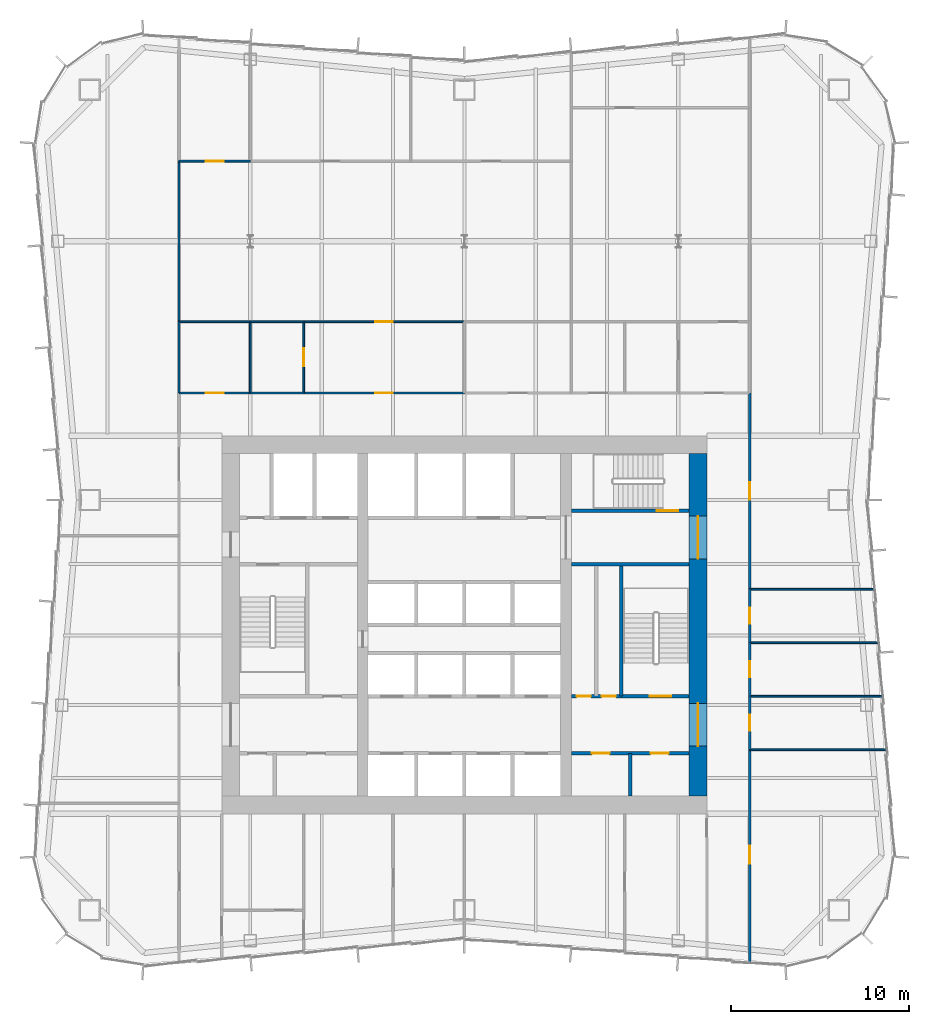
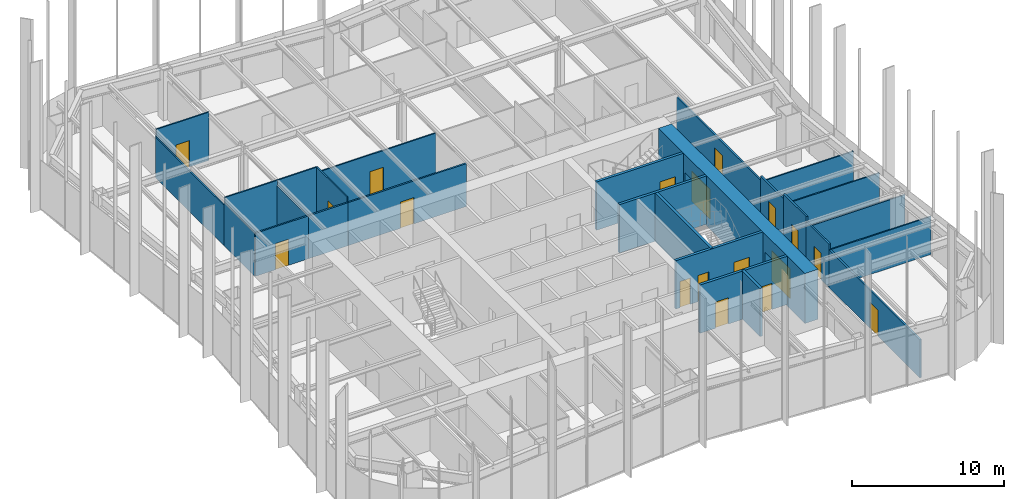
# One storey, part 11 of 13: 27 walls, 18 doors, 18 openings.
"""IFC4 building model written with IfcOpenShell, lengths in metres."""

import ifcopenshell
import ifcopenshell.guid

model = None  # the IFC model being written
_history = None  # IfcOwnerHistory: only IFC2X3 demands one
_inside = {}  # id of a spatial element -> (the spatial element, [elements in it])
_under = {}  # id of a project, library or spatial element -> (it, [spatial elements below it])
_declared = {}  # id of a project -> (the project, [libraries it declares])
_typed = {}  # id of a type object -> (the type object, [elements of that type])
_made_of = {}  # id of a material, layer set ... -> (it, [elements and type objects made of it])


def new_model(schema):
    """Start an empty IFC model of exactly this schema.

    Asked for "IFC4X3", IfcOpenShell would pick the latest addendum, in which some entities
    have other attributes; the version numbers below select the first issue.
    IFC2X3 requires an IfcOwnerHistory on every rooted entity: one is made here for all.
    """
    global model, _history
    if schema == "IFC4X3":
        model = ifcopenshell.file(schema_version=(4, 3, 0, 0))
    else:
        model = ifcopenshell.file(schema=schema)
    _inside.clear()
    _under.clear()
    _declared.clear()
    _typed.clear()
    _made_of.clear()
    _history = None
    if model.schema == "IFC2X3":
        org = make("IfcOrganization", Name="unknown")
        user = make(
            "IfcPersonAndOrganization",
            ThePerson=make("IfcPerson", FamilyName="unknown"),
            TheOrganization=org,
        )
        app = make(
            "IfcApplication",
            ApplicationDeveloper=org,
            Version="unknown",
            ApplicationFullName="unknown",
            ApplicationIdentifier="unknown",
        )
        _history = make(
            "IfcOwnerHistory",
            OwningUser=user,
            OwningApplication=app,
            ChangeAction="ADDED",
            CreationDate=0,
        )
    return model


def make(cls, **values):
    """One entity of the class cls with the attributes given. An attribute that is None is left unset."""
    return model.create_entity(
        cls, **{name: value for name, value in values.items() if value is not None}
    )


def rooted(cls, **values):
    """An entity with a GlobalId (a new one), such as an element, a storey or a relation."""
    return make(cls, GlobalId=ifcopenshell.guid.new(), OwnerHistory=_history, **values)


def si_unit(unit_type, name, prefix=None):
    """IfcSIUnit, for example si_unit("LENGTHUNIT", "METRE", prefix="MILLI")."""
    return make("IfcSIUnit", UnitType=unit_type, Prefix=prefix, Name=name)


def assignment(units):
    """IfcUnitAssignment: the units of a project."""
    return None if units is None else make("IfcUnitAssignment", Units=units)


def point(xyz):
    """IfcCartesianPoint."""
    return None if xyz is None else make("IfcCartesianPoint", Coordinates=xyz)


def direction(xyz):
    """IfcDirection."""
    return None if xyz is None else make("IfcDirection", DirectionRatios=xyz)


def frame(location, z_axis=None, x_axis=None):
    """IfcAxis2Placement3D, a coordinate frame: its origin and axes. An axis left out is left unset."""
    return make(
        "IfcAxis2Placement3D",
        Location=point(location),
        Axis=direction(z_axis),
        RefDirection=direction(x_axis),
    )


def frame_2d(location, x_axis=None):
    """IfcAxis2Placement2D, a coordinate frame in the plane: its origin and x axis."""
    return make(
        "IfcAxis2Placement2D", Location=point(location), RefDirection=direction(x_axis)
    )


def origin():
    """The frame at (0, 0, 0) with its axes left unset."""
    return frame((0.0, 0.0, 0.0))


def place(relative_to, where):
    """IfcLocalPlacement: puts the frame where relative to a parent placement (None: the world)."""
    return make(
        "IfcLocalPlacement", PlacementRelTo=relative_to, RelativePlacement=where
    )


def context(
    kind, dimensions, precision=None, world=None, true_north=None, identifier=None
):
    """IfcGeometricRepresentationContext, for example the 3D "Model" context."""
    return make(
        "IfcGeometricRepresentationContext",
        ContextIdentifier=identifier,
        ContextType=kind,
        CoordinateSpaceDimension=dimensions,
        Precision=precision,
        WorldCoordinateSystem=world,
        TrueNorth=true_north,
    )


def subcontext(parent, identifier, kind, view, scale=None):
    """IfcGeometricRepresentationSubContext, for example "Body" below "Model"."""
    return make(
        "IfcGeometricRepresentationSubContext",
        ContextIdentifier=identifier,
        ContextType=kind,
        ParentContext=parent,
        TargetScale=scale,
        TargetView=view,
    )


def project(units=None, contexts=None):
    """IfcProject with its units and contexts."""
    return rooted(
        "IfcProject",
        Name="project",
        RepresentationContexts=contexts,
        UnitsInContext=assignment(units),
    )


def spatial(cls, under=None, at=None, **own):
    """A site, building, storey or space (cls), placed at a placement, below another one or the project."""
    s = rooted(cls, ObjectPlacement=at, **own)
    if under is not None:
        _under.setdefault(under.id(), (under, []))[1].append(s)
    return s


def profile(cls, at=None, kind="AREA", **sizes):
    """A parametric profile (cls). Its sizes go by their IFC names, for example OverallWidth=200.0."""
    return make(cls, ProfileType=kind, Position=at, **sizes)


def rectangle(**sizes):
    """IfcRectangleProfileDef."""
    return profile("IfcRectangleProfileDef", **sizes)


def extrude(swept, where, along, depth):
    """IfcExtrudedAreaSolid: the profile swept, set in the frame where, extruded along a direction by depth."""
    return make(
        "IfcExtrudedAreaSolid",
        SweptArea=swept,
        Position=where,
        ExtrudedDirection=direction(along),
        Depth=depth,
    )


def shape(context_of_items, identifier, shape_type, items):
    """IfcShapeRepresentation: the items that make up one representation, for example the "Body"."""
    return make(
        "IfcShapeRepresentation",
        ContextOfItems=context_of_items,
        RepresentationIdentifier=identifier,
        RepresentationType=shape_type,
        Items=items,
    )


def material(Name=None, Category=None):
    """IfcMaterial."""
    return make("IfcMaterial", Name=Name, Category=Category)


def layer(
    of_material, thickness, ventilated=None, Name=None, Category=None, Priority=None
):
    """IfcMaterialLayer: one layer of a wall or slab, of a material (None: an air gap)."""
    return make(
        "IfcMaterialLayer",
        Material=of_material,
        LayerThickness=thickness,
        IsVentilated=ventilated,
        Name=Name,
        Category=Category,
        Priority=Priority,
    )


def layer_set(layers, Name=None):
    """IfcMaterialLayerSet."""
    return make("IfcMaterialLayerSet", MaterialLayers=layers, LayerSetName=Name)


def made_of(thing, what):
    """Note that an element or type object is made of a material, layer set ...; save() writes the relation."""
    if what is not None:
        _made_of.setdefault(what.id(), (what, []))[1].append(thing)
    return thing


def type_object(cls, material=None, **own):
    """A type object (cls), such as IfcWallType, which elements share."""
    return made_of(rooted(cls, **own), material)


def element(
    cls,
    number,
    at=None,
    inside=None,
    cuts=None,
    type_object=None,
    material=None,
    context=None,
    identifier="Body",
    shape_type=None,
    held_by="IfcProductDefinitionShape",
    body=None,
    shapes=None,
    **own,
):
    """One element of the class cls, such as IfcWall. Its Tag is "e" and its number.

    at: its placement. inside: the storey or other place that contains it. cuts: it is an
    opening in that element (IfcRelVoidsElement). A single representation is given by context,
    identifier, shape_type and body (its items); several are given by shapes. held_by: the class
    of the entity that holds the representations. save() writes the other relations.
    """
    e = rooted(cls, Tag="e%d" % number, ObjectPlacement=at, **own)
    if body is not None:
        shapes = [shape(context, identifier, shape_type, body)]
    if shapes is not None:
        e.Representation = make(held_by, Representations=shapes)
    if inside is not None:
        _inside.setdefault(inside.id(), (inside, []))[1].append(e)
    if cuts is not None:
        rooted(
            "IfcRelVoidsElement", RelatingBuildingElement=cuts, RelatedOpeningElement=e
        )
    if type_object is not None:
        _typed.setdefault(type_object.id(), (type_object, []))[1].append(e)
    return made_of(e, material)


def fill(opening, filler):
    """IfcRelFillsElement: the door or window that sits in an opening."""
    return rooted(
        "IfcRelFillsElement",
        RelatingOpeningElement=opening,
        RelatedBuildingElement=filler,
    )


def aggregate(whole, parts):
    """IfcRelAggregates: a whole, such as a stair, and the parts it consists of."""
    return rooted("IfcRelAggregates", RelatingObject=whole, RelatedObjects=parts)


def save(model, path):
    """Write the relations noted so far, then the file.

    IfcRelAggregates (storeys below a building ...), IfcRelContainedInSpatialStructure (elements
    in a storey), IfcRelDefinesByType, IfcRelAssociatesMaterial and IfcRelDeclares: one each for
    every whole, place, type object, material and project.
    """
    for whole, parts in _under.values():
        aggregate(whole, parts)
    for where, things in _inside.values():
        rooted(
            "IfcRelContainedInSpatialStructure",
            RelatedElements=things,
            RelatingStructure=where,
        )
    for kind, things in _typed.values():
        rooted("IfcRelDefinesByType", RelatedObjects=things, RelatingType=kind)
    for what, things in _made_of.values():
        rooted("IfcRelAssociatesMaterial", RelatedObjects=things, RelatingMaterial=what)
    for by, libraries in _declared.values():
        rooted("IfcRelDeclares", RelatingContext=by, RelatedDefinitions=libraries)
    model.write(path)


model = new_model("IFC4")

# Units and contexts
model_context = context("Model", 3, precision=1e-05, world=origin(), true_north=direction((0.0, 1.0)))
body_context = subcontext(model_context, "Body", "Model", "MODEL_VIEW")
ifc_project = project(units=[si_unit("LENGTHUNIT", "METRE"), si_unit("AREAUNIT", "SQUARE_METRE"), si_unit("VOLUMEUNIT", "CUBIC_METRE"), si_unit("PLANEANGLEUNIT", "RADIAN"), si_unit("MASSUNIT", "GRAM", prefix="KILO")], contexts=[model_context])

# Site, building, storey
site_placement = place(None, origin())
site = spatial("IfcSite", under=ifc_project, at=site_placement, CompositionType="ELEMENT")
building_placement = place(site_placement, origin())
building = spatial("IfcBuilding", under=site, at=building_placement, Name="Verdant Reach Tower", CompositionType="ELEMENT")
storey_placement = place(building_placement, frame((0.0, 0.0, 138.0)))
storey = spatial("IfcBuildingStorey", under=building, at=storey_placement, Name="L31", CompositionType="ELEMENT", Elevation=138.0)

# Wall, openings, doors
ifc_material_1 = material(Name="Gypsum board on steel studs", Category="steel")
ifc_layer_1 = layer(ifc_material_1, 0.199951171875)
ifc_layer_set_1 = layer_set([ifc_layer_1], Name="CO-WALL-ROOM")
wall_type_1 = type_object("IfcWallType", Name="CO-WALL-ROOM", PredefinedType="PARTITIONING", material=ifc_layer_set_1)
wall_1_placement = place(storey_placement, frame((6.0, 20.800048828125, 0.0), z_axis=(0.0, 0.0, 1.0), x_axis=(1.0, 0.0, 0.0)))
wall_1 = element("IfcWall", 1, at=wall_1_placement, inside=storey, type_object=wall_type_1, Name="Core partition, L31", PredefinedType="PARTITIONING", context=body_context, shape_type="SweptSolid", body=[
    extrude(rectangle(XDim=6.60009765625, YDim=0.199951171875, at=frame_2d((3.300048828125, 0.0))), origin(), (0.0, 0.0, 1.0), 3.8701171875),
])
opening_1_placement = place(wall_1_placement, frame((1.14990234375, 0.0, 0.0)))
opening_1 = element("IfcOpeningElement", 2, at=opening_1_placement, cuts=wall_1, Name="Opening CD", PredefinedType="OPENING", context=body_context, shape_type="SweptSolid", body=[
    extrude(rectangle(XDim=1.0, YDim=2.10009765625, at=frame_2d((0.5, 1.050048828125))), frame((0.0, 0.10986328125, 0.0), z_axis=(0.0, -1.0, 0.0), x_axis=(1.0, 0.0, 0.0)), (0.0, 0.0, 1.0), 0.219970703125),
])
opening_2_placement = place(wall_1_placement, frame((4.449951171875, 0.0, 0.0)))
opening_2 = element("IfcOpeningElement", 3, at=opening_2_placement, cuts=wall_1, Name="Opening CD", PredefinedType="OPENING", context=body_context, shape_type="SweptSolid", body=[
    extrude(rectangle(XDim=1.0, YDim=2.10009765625, at=frame_2d((0.5, 1.050048828125))), frame((0.0, 0.10986328125, 0.0), z_axis=(0.0, -1.0, 0.0), x_axis=(1.0, 0.0, 0.0)), (0.0, 0.0, 1.0), 0.219970703125),
])
ifc_material_2 = material(Name="Timber", Category="wood")
door_type_1 = type_object("IfcDoorType", Name="CO-DOOR-ROOM", OperationType="NOTDEFINED", PredefinedType="DOOR", material=ifc_material_2)
door_1_placement = place(opening_1_placement, origin())
door_1 = element("IfcDoor", 4, at=door_1_placement, inside=storey, type_object=door_type_1, Name="Core room door, L31", OperationType="SINGLE_SWING_LEFT", OverallHeight=2.10009765625, OverallWidth=1.0, PredefinedType="DOOR", context=body_context, shape_type="SweptSolid", body=[
    extrude(rectangle(XDim=1.0, YDim=2.10009765625, at=frame_2d((0.5, 1.050048828125))), frame((0.0, 0.02490234375, 0.0), z_axis=(0.0, -1.0, 0.0), x_axis=(1.0, 0.0, 0.0)), (0.0, 0.0, 1.0), 0.050048828125),
])
fill(opening_1, door_1)
door_2_placement = place(opening_2_placement, origin())
door_2 = element("IfcDoor", 5, at=door_2_placement, inside=storey, type_object=door_type_1, Name="Core room door, L31", OperationType="SINGLE_SWING_LEFT", OverallHeight=2.10009765625, OverallWidth=1.0, PredefinedType="DOOR", context=body_context, shape_type="SweptSolid", body=[
    extrude(rectangle(XDim=1.0, YDim=2.10009765625, at=frame_2d((0.5, 1.050048828125))), frame((0.0, 0.02490234375, 0.0), z_axis=(0.0, -1.0, 0.0), x_axis=(1.0, 0.0, 0.0)), (0.0, 0.0, 1.0), 0.050048828125),
])
fill(opening_2, door_2)

# Wall
wall_2_placement = place(storey_placement, frame((9.300048828125, 18.39990234375, 0.0), z_axis=(0.0, 0.0, 1.0), x_axis=(0.0, 1.0, 0.0)))
element("IfcWall", 6, at=wall_2_placement, inside=storey, type_object=wall_type_1, Name="Core partition, L31", PredefinedType="PARTITIONING", context=body_context, shape_type="SweptSolid", body=[
    extrude(rectangle(XDim=2.400146484375, YDim=0.199951171875, at=frame_2d((1.2001953125, 0.0))), origin(), (0.0, 0.0, 1.0), 3.8701171875),
])

# Wall, openings, doors
ifc_material_3 = material(Name="Concrete C40/50", Category="concrete")
ifc_layer_2 = layer(ifc_material_3, 0.199951171875)
ifc_layer_set_2 = layer_set([ifc_layer_2], Name="CO-WALL-STAIR")
wall_type_2 = type_object("IfcWallType", Name="CO-WALL-STAIR", PredefinedType="PARTITIONING", material=ifc_layer_set_2)
wall_3_placement = place(storey_placement, frame((6.0, 24.0, 0.0), z_axis=(0.0, 0.0, 1.0), x_axis=(1.0, 0.0, 0.0)))
wall_3 = element("IfcWall", 7, at=wall_3_placement, inside=storey, type_object=wall_type_2, Name="Stair enclosure wall, L31", PredefinedType="PARTITIONING", context=body_context, shape_type="SweptSolid", body=[
    extrude(rectangle(XDim=6.60009765625, YDim=0.199951171875, at=frame_2d((3.300048828125, 0.0))), origin(), (0.0, 0.0, 1.0), 3.8701171875),
])
opening_3_placement = place(wall_3_placement, frame((0.300048828125, 0.0, 0.0)))
opening_3 = element("IfcOpeningElement", 8, at=opening_3_placement, cuts=wall_3, Name="Opening CDN", PredefinedType="OPENING", context=body_context, shape_type="SweptSolid", body=[
    extrude(rectangle(XDim=0.800048828125, YDim=2.10009765625, at=frame_2d((0.39990234375, 1.050048828125))), frame((0.0, 0.10986328125, 0.0), z_axis=(0.0, -1.0, 0.0), x_axis=(1.0, 0.0, 0.0)), (0.0, 0.0, 1.0), 0.219970703125),
])
opening_4_placement = place(wall_3_placement, frame((1.699951171875, 0.0, 0.0)))
opening_4 = element("IfcOpeningElement", 9, at=opening_4_placement, cuts=wall_3, Name="Opening CDN", PredefinedType="OPENING", context=body_context, shape_type="SweptSolid", body=[
    extrude(rectangle(XDim=0.800048828125, YDim=2.10009765625, at=frame_2d((0.39990234375, 1.050048828125))), frame((0.0, 0.10986328125, 0.0), z_axis=(0.0, -1.0, 0.0), x_axis=(1.0, 0.0, 0.0)), (0.0, 0.0, 1.0), 0.219970703125),
])
opening_5_placement = place(wall_3_placement, frame((4.39990234375, 0.0, 0.0)))
opening_5 = element("IfcOpeningElement", 10, at=opening_5_placement, cuts=wall_3, Name="Opening SD", PredefinedType="OPENING", context=body_context, shape_type="SweptSolid", body=[
    extrude(rectangle(XDim=1.199951171875, YDim=2.199951171875, at=frame_2d((0.60009765625, 1.10009765625))), frame((0.0, 0.10986328125, 0.0), z_axis=(0.0, -1.0, 0.0), x_axis=(1.0, 0.0, 0.0)), (0.0, 0.0, 1.0), 0.219970703125),
])
door_type_2 = type_object("IfcDoorType", Name="CO-DOOR-ROOM-NARROW", OperationType="NOTDEFINED", PredefinedType="DOOR", material=ifc_material_2)
door_3_placement = place(opening_3_placement, origin())
door_3 = element("IfcDoor", 11, at=door_3_placement, inside=storey, type_object=door_type_2, Name="Core room door, L31", OperationType="SINGLE_SWING_RIGHT", OverallHeight=2.10009765625, OverallWidth=0.800048828125, PredefinedType="DOOR", context=body_context, shape_type="SweptSolid", body=[
    extrude(rectangle(XDim=0.800048828125, YDim=2.10009765625, at=frame_2d((0.39990234375, 1.050048828125))), frame((0.0, 0.02490234375, 0.0), z_axis=(0.0, -1.0, 0.0), x_axis=(1.0, 0.0, 0.0)), (0.0, 0.0, 1.0), 0.050048828125),
])
fill(opening_3, door_3)
door_4_placement = place(opening_4_placement, origin())
door_4 = element("IfcDoor", 12, at=door_4_placement, inside=storey, type_object=door_type_2, Name="Core room door, L31", OperationType="SINGLE_SWING_LEFT", OverallHeight=2.10009765625, OverallWidth=0.800048828125, PredefinedType="DOOR", context=body_context, shape_type="SweptSolid", body=[
    extrude(rectangle(XDim=0.800048828125, YDim=2.10009765625, at=frame_2d((0.39990234375, 1.050048828125))), frame((0.0, 0.02490234375, 0.0), z_axis=(0.0, -1.0, 0.0), x_axis=(1.0, 0.0, 0.0)), (0.0, 0.0, 1.0), 0.050048828125),
])
fill(opening_4, door_4)
ifc_material_4 = material(Name="Steel", Category="steel")
door_type_3 = type_object("IfcDoorType", Name="CO-DOOR-STAIR", OperationType="NOTDEFINED", PredefinedType="DOOR", material=ifc_material_4)
door_5_placement = place(opening_5_placement, origin())
door_5 = element("IfcDoor", 13, at=door_5_placement, inside=storey, type_object=door_type_3, Name="Stair door, L31", OperationType="SINGLE_SWING_RIGHT", OverallHeight=2.199951171875, OverallWidth=1.199951171875, PredefinedType="DOOR", context=body_context, shape_type="SweptSolid", body=[
    extrude(rectangle(XDim=1.199951171875, YDim=2.199951171875, at=frame_2d((0.60009765625, 1.10009765625))), frame((0.0, 0.02490234375, 0.0), z_axis=(0.0, -1.0, 0.0), x_axis=(1.0, 0.0, 0.0)), (0.0, 0.0, 1.0), 0.050048828125),
])
fill(opening_5, door_5)

# Wall
wall_4_placement = place(storey_placement, frame((6.0, 31.39990234375, 0.0), z_axis=(0.0, 0.0, 1.0), x_axis=(1.0, 0.0, 0.0)))
element("IfcWall", 14, at=wall_4_placement, inside=storey, type_object=wall_type_2, Name="Stair enclosure wall, L31", PredefinedType="PARTITIONING", context=body_context, shape_type="SweptSolid", body=[
    extrude(rectangle(XDim=6.60009765625, YDim=0.199951171875, at=frame_2d((3.300048828125, 0.0))), origin(), (0.0, 0.0, 1.0), 3.8701171875),
])

# Wall, opening, door
wall_5_placement = place(storey_placement, frame((6.0, 34.39990234375, 0.0), z_axis=(0.0, 0.0, 1.0), x_axis=(1.0, 0.0, 0.0)))
wall_5 = element("IfcWall", 15, at=wall_5_placement, inside=storey, type_object=wall_type_2, Name="Stair enclosure wall, L31", PredefinedType="PARTITIONING", context=body_context, shape_type="SweptSolid", body=[
    extrude(rectangle(XDim=6.60009765625, YDim=0.199951171875, at=frame_2d((3.300048828125, 0.0))), origin(), (0.0, 0.0, 1.0), 3.8701171875),
])
opening_6_placement = place(wall_5_placement, frame((4.800048828125, 0.0, 0.0)))
opening_6 = element("IfcOpeningElement", 16, at=opening_6_placement, cuts=wall_5, Name="Opening SD", PredefinedType="OPENING", context=body_context, shape_type="SweptSolid", body=[
    extrude(rectangle(XDim=1.199951171875, YDim=2.199951171875, at=frame_2d((0.60009765625, 1.10009765625))), frame((0.0, 0.10986328125, 0.0), z_axis=(0.0, -1.0, 0.0), x_axis=(1.0, 0.0, 0.0)), (0.0, 0.0, 1.0), 0.219970703125),
])
door_6_placement = place(opening_6_placement, origin())
door_6 = element("IfcDoor", 17, at=door_6_placement, inside=storey, type_object=door_type_3, Name="Stair door, L31", OperationType="SINGLE_SWING_LEFT", OverallHeight=2.199951171875, OverallWidth=1.199951171875, PredefinedType="DOOR", context=body_context, shape_type="SweptSolid", body=[
    extrude(rectangle(XDim=1.199951171875, YDim=2.199951171875, at=frame_2d((0.60009765625, 1.10009765625))), frame((0.0, 0.02490234375, 0.0), z_axis=(0.0, -1.0, 0.0), x_axis=(1.0, 0.0, 0.0)), (0.0, 0.0, 1.0), 0.050048828125),
])
fill(opening_6, door_6)

# Walls
wall_6_placement = place(storey_placement, frame((8.800048828125, 24.0, 0.0), z_axis=(0.0, 0.0, 1.0), x_axis=(0.0, 1.0, 0.0)))
element("IfcWall", 18, at=wall_6_placement, inside=storey, type_object=wall_type_2, Name="Stair enclosure wall, L31", PredefinedType="PARTITIONING", context=body_context, shape_type="SweptSolid", body=[
    extrude(rectangle(XDim=7.39990234375, YDim=0.199951171875, at=frame_2d((3.699951171875, 0.0))), origin(), (0.0, 0.0, 1.0), 3.8701171875),
])
ifc_layer_3 = layer(ifc_material_1, 0.10009765625)
ifc_layer_set_3 = layer_set([ifc_layer_3], Name="FL-W1 Partition 100")
wall_type_3 = type_object("IfcWallType", Name="FL-W1 Partition 100", PredefinedType="PARTITIONING", material=ifc_layer_set_3)
wall_7_placement = place(storey_placement, frame((-16.0, 41.0, 0.0), z_axis=(0.0, 0.0, 1.0), x_axis=(0.0, 1.0, 0.0)))
element("IfcWall", 19, at=wall_7_placement, inside=storey, type_object=wall_type_3, Name="Partition 31.21", PredefinedType="PARTITIONING", context=body_context, shape_type="SweptSolid", body=[
    extrude(rectangle(XDim=4.0, YDim=0.10009765625, at=frame_2d((2.0, 0.0))), origin(), (0.0, 0.0, 1.0), 3.43994140625),
])
wall_8_placement = place(storey_placement, frame((-16.0, 45.0, 0.0), z_axis=(0.0, 0.0, 1.0), x_axis=(0.0, 1.0, 0.0)))
element("IfcWall", 20, at=wall_8_placement, inside=storey, type_object=wall_type_3, Name="Partition 31.22", PredefinedType="PARTITIONING", context=body_context, shape_type="SweptSolid", body=[
    extrude(rectangle(XDim=9.0, YDim=0.10009765625, at=frame_2d((4.5, 0.0))), origin(), (0.0, 0.0, 1.0), 3.239990234375),
])
wall_9_placement = place(storey_placement, frame((23.6298828125, 21.0, 0.0), z_axis=(0.0, 0.0, 1.0), x_axis=(-1.0, 0.0, 0.0)))
element("IfcWall", 21, at=wall_9_placement, inside=storey, type_object=wall_type_3, Name="Partition 31.24", PredefinedType="PARTITIONING", context=body_context, shape_type="SweptSolid", body=[
    extrude(rectangle(XDim=7.6298828125, YDim=0.10009765625, at=frame_2d((3.81494140625, 0.0))), origin(), (0.0, 0.0, 1.0), 3.0400390625),
])
wall_10_placement = place(storey_placement, frame((23.405029296875, 24.0, 0.0), z_axis=(0.0, 0.0, 1.0), x_axis=(-1.0, 0.0, 0.0)))
element("IfcWall", 22, at=wall_10_placement, inside=storey, type_object=wall_type_3, Name="Partition 31.25", PredefinedType="PARTITIONING", context=body_context, shape_type="SweptSolid", body=[
    extrude(rectangle(XDim=7.405029296875, YDim=0.10009765625, at=frame_2d((3.70263671875, 0.0))), origin(), (0.0, 0.0, 1.0), 3.0400390625),
])
wall_11_placement = place(storey_placement, frame((23.179931640625, 27.0, 0.0), z_axis=(0.0, 0.0, 1.0), x_axis=(-1.0, 0.0, 0.0)))
element("IfcWall", 23, at=wall_11_placement, inside=storey, type_object=wall_type_3, Name="Partition 31.26", PredefinedType="PARTITIONING", context=body_context, shape_type="SweptSolid", body=[
    extrude(rectangle(XDim=7.179931640625, YDim=0.10009765625, at=frame_2d((3.58984375, 0.0))), origin(), (0.0, 0.0, 1.0), 3.0400390625),
])
wall_12_placement = place(storey_placement, frame((22.955078125, 30.0, 0.0), z_axis=(0.0, 0.0, 1.0), x_axis=(-1.0, 0.0, 0.0)))
element("IfcWall", 24, at=wall_12_placement, inside=storey, type_object=wall_type_3, Name="Partition 31.27", PredefinedType="PARTITIONING", context=body_context, shape_type="SweptSolid", body=[
    extrude(rectangle(XDim=6.955078125, YDim=0.10009765625, at=frame_2d((3.4775390625, 0.0))), origin(), (0.0, 0.0, 1.0), 3.0400390625),
])
wall_13_placement = place(storey_placement, frame((-12.0, 41.0, 0.0), z_axis=(0.0, 0.0, 1.0), x_axis=(0.0, 1.0, 0.0)))
element("IfcWall", 25, at=wall_13_placement, inside=storey, type_object=wall_type_3, Name="Partition 31.37", PredefinedType="PARTITIONING", context=body_context, shape_type="SweptSolid", body=[
    extrude(rectangle(XDim=4.0, YDim=0.10009765625, at=frame_2d((2.0, 0.0))), origin(), (0.0, 0.0, 1.0), 3.43994140625),
])
wall_14_placement = place(storey_placement, frame((-11.99609375, 45.0, 0.0), z_axis=(0.0, 0.0, 1.0), x_axis=(-1.0, 0.0, 0.0)))
element("IfcWall", 26, at=wall_14_placement, inside=storey, type_object=wall_type_3, Name="Partition 31.38", PredefinedType="PARTITIONING", context=body_context, shape_type="SweptSolid", body=[
    extrude(rectangle(XDim=4.00390625, YDim=0.10009765625, at=frame_2d((2.001953125, 0.0))), origin(), (0.0, 0.0, 1.0), 3.8701171875),
])

# Wall, opening, door
wall_15_placement = place(storey_placement, frame((-9.0, 41.0, 0.0), z_axis=(0.0, 0.0, 1.0), x_axis=(0.0, 1.0, 0.0)))
wall_15 = element("IfcWall", 27, at=wall_15_placement, inside=storey, type_object=wall_type_3, Name="Partition 31.39", PredefinedType="PARTITIONING", context=body_context, shape_type="SweptSolid", body=[
    extrude(rectangle(XDim=4.0, YDim=0.10009765625, at=frame_2d((2.0, 0.0))), origin(), (0.0, 0.0, 1.0), 3.8701171875),
])
opening_7_placement = place(wall_15_placement, frame((1.5, 0.0, 0.0)))
opening_7 = element("IfcOpeningElement", 28, at=opening_7_placement, cuts=wall_15, Name="Opening D3", PredefinedType="OPENING", context=body_context, shape_type="SweptSolid", body=[
    extrude(rectangle(XDim=1.0, YDim=2.10009765625, at=frame_2d((0.5, 1.050048828125))), frame((0.0, 0.06005859375, 0.0), z_axis=(0.0, -1.0, 0.0), x_axis=(1.0, 0.0, 0.0)), (0.0, 0.0, 1.0), 0.1201171875),
])
ifc_material_5 = material(Name="Painted timber door leaf", Category="wood")
door_type_4 = type_object("IfcDoorType", Name="FL-D3 Door 1000x2100", OperationType="NOTDEFINED", PredefinedType="DOOR", material=ifc_material_5)
door_7_placement = place(opening_7_placement, origin())
door_7 = element("IfcDoor", 29, at=door_7_placement, inside=storey, type_object=door_type_4, Name="Door 31-020", OperationType="SINGLE_SWING_RIGHT", OverallHeight=2.10009765625, OverallWidth=1.0, PredefinedType="DOOR", context=body_context, shape_type="SweptSolid", body=[
    extrude(rectangle(XDim=1.0, YDim=2.10009765625, at=frame_2d((0.5, 1.050048828125))), frame((0.0, 0.02490234375, 0.0), z_axis=(0.0, -1.0, 0.0), x_axis=(1.0, 0.0, 0.0)), (0.0, 0.0, 1.0), 0.050048828125),
])
fill(opening_7, door_7)

# Wall
wall_16_placement = place(storey_placement, frame((-8.99609375, 45.0, 0.0), z_axis=(0.0, 0.0, 1.0), x_axis=(-1.0, 0.0, 0.0)))
element("IfcWall", 30, at=wall_16_placement, inside=storey, type_object=wall_type_3, Name="Partition 31.40", PredefinedType="PARTITIONING", context=body_context, shape_type="SweptSolid", body=[
    extrude(rectangle(XDim=3.0078125, YDim=0.10009765625, at=frame_2d((1.50390625, 0.0))), origin(), (0.0, 0.0, 1.0), 3.8701171875),
])

# Wall, opening, door
wall_17_placement = place(storey_placement, frame((-9.00390625, 45.0, 0.0), z_axis=(0.0, 0.0, 1.0), x_axis=(1.0, 0.0, 0.0)))
wall_17 = element("IfcWall", 31, at=wall_17_placement, inside=storey, type_object=wall_type_3, Name="Partition 31.42", PredefinedType="PARTITIONING", context=body_context, shape_type="SweptSolid", body=[
    extrude(rectangle(XDim=9.0078125, YDim=0.10009765625, at=frame_2d((4.50390625, 0.0))), origin(), (0.0, 0.0, 1.0), 3.43994140625),
])
opening_8_placement = place(wall_17_placement, frame((4.00390625, 0.0, 0.0)))
opening_8 = element("IfcOpeningElement", 32, at=opening_8_placement, cuts=wall_17, Name="Opening D3", PredefinedType="OPENING", context=body_context, shape_type="SweptSolid", body=[
    extrude(rectangle(XDim=1.0, YDim=2.10009765625, at=frame_2d((0.5, 1.050048828125))), frame((0.0, 0.06005859375, 0.0), z_axis=(0.0, -1.0, 0.0), x_axis=(1.0, 0.0, 0.0)), (0.0, 0.0, 1.0), 0.1201171875),
])
door_8_placement = place(opening_8_placement, origin())
door_8 = element("IfcDoor", 33, at=door_8_placement, inside=storey, type_object=door_type_4, Name="Door 31-021", OperationType="SINGLE_SWING_LEFT", OverallHeight=2.10009765625, OverallWidth=1.0, PredefinedType="DOOR", context=body_context, shape_type="SweptSolid", body=[
    extrude(rectangle(XDim=1.0, YDim=2.10009765625, at=frame_2d((0.5, 1.050048828125))), frame((0.0, 0.02490234375, 0.0), z_axis=(0.0, -1.0, 0.0), x_axis=(1.0, 0.0, 0.0)), (0.0, 0.0, 1.0), 0.050048828125),
])
fill(opening_8, door_8)

wall_18_placement = place(storey_placement, frame((-16.0, 54.0, 0.0), z_axis=(0.0, 0.0, 1.0), x_axis=(1.0, 0.0, 0.0)))
wall_18 = element("IfcWall", 34, at=wall_18_placement, inside=storey, type_object=wall_type_3, Name="Partition 31.45", PredefinedType="PARTITIONING", context=body_context, shape_type="SweptSolid", body=[
    extrude(rectangle(XDim=4.0, YDim=0.10009765625, at=frame_2d((2.0, 0.0))), origin(), (0.0, 0.0, 1.0), 3.8701171875),
])
opening_9_placement = place(wall_18_placement, frame((1.5, 0.0, 0.0)))
opening_9 = element("IfcOpeningElement", 35, at=opening_9_placement, cuts=wall_18, Name="Opening D3", PredefinedType="OPENING", context=body_context, shape_type="SweptSolid", body=[
    extrude(rectangle(XDim=1.0, YDim=2.10009765625, at=frame_2d((0.5, 1.050048828125))), frame((0.0, 0.06005859375, 0.0), z_axis=(0.0, -1.0, 0.0), x_axis=(1.0, 0.0, 0.0)), (0.0, 0.0, 1.0), 0.1201171875),
])
door_9_placement = place(opening_9_placement, origin())
door_9 = element("IfcDoor", 36, at=door_9_placement, inside=storey, type_object=door_type_4, Name="Door 31-022", OperationType="SINGLE_SWING_RIGHT", OverallHeight=2.10009765625, OverallWidth=1.0, PredefinedType="DOOR", context=body_context, shape_type="SweptSolid", body=[
    extrude(rectangle(XDim=1.0, YDim=2.10009765625, at=frame_2d((0.5, 1.050048828125))), frame((0.0, 0.02490234375, 0.0), z_axis=(0.0, -1.0, 0.0), x_axis=(1.0, 0.0, 0.0)), (0.0, 0.0, 1.0), 0.050048828125),
])
fill(opening_9, door_9)

ifc_material_6 = material(Name="Gypsum board on steel studs, fire rated", Category="steel")
ifc_layer_4 = layer(ifc_material_6, 0.125)
ifc_layer_set_4 = layer_set([ifc_layer_4], Name="FL-W2 Corridor wall 125")
wall_type_4 = type_object("IfcWallType", Name="FL-W2 Corridor wall 125", PredefinedType="PARTITIONING", material=ifc_layer_set_4)
wall_19_placement = place(storey_placement, frame((16.0, 21.0, 0.0), z_axis=(0.0, 0.0, 1.0), x_axis=(0.0, -1.0, 0.0)))
wall_19 = element("IfcWall", 37, at=wall_19_placement, inside=storey, type_object=wall_type_4, Name="Partition 31.04", PredefinedType="PARTITIONING", context=body_context, shape_type="SweptSolid", body=[
    extrude(rectangle(XDim=11.913330078125, YDim=0.125, at=frame_2d((5.95654296875, 0.0))), origin(), (0.0, 0.0, 1.0), 3.0400390625),
])
opening_10_placement = place(wall_19_placement, frame((5.3916015625, 0.0, 0.0)))
opening_10 = element("IfcOpeningElement", 38, at=opening_10_placement, cuts=wall_19, Name="Opening D2", PredefinedType="OPENING", context=body_context, shape_type="SweptSolid", body=[
    extrude(rectangle(XDim=1.0, YDim=2.10009765625, at=frame_2d((0.5, 1.050048828125))), frame((0.0, 0.072509765625, 0.0), z_axis=(0.0, -1.0, 0.0), x_axis=(1.0, 0.0, 0.0)), (0.0, 0.0, 1.0), 0.14501953125),
])
ifc_material_7 = material(Name="Timber door leaf, fire rated", Category="wood")
door_type_5 = type_object("IfcDoorType", Name="FL-D2 Entrance door 1000x2100 FD30", OperationType="NOTDEFINED", PredefinedType="DOOR", material=ifc_material_7)
door_10_placement = place(opening_10_placement, origin())
door_10 = element("IfcDoor", 39, at=door_10_placement, inside=storey, type_object=door_type_5, Name="Door 31-004", OperationType="SINGLE_SWING_LEFT", OverallHeight=2.10009765625, OverallWidth=1.0, PredefinedType="DOOR", context=body_context, shape_type="SweptSolid", body=[
    extrude(rectangle(XDim=1.0, YDim=2.10009765625, at=frame_2d((0.5, 1.050048828125))), frame((0.0, 0.02490234375, 0.0), z_axis=(0.0, -1.0, 0.0), x_axis=(1.0, 0.0, 0.0)), (0.0, 0.0, 1.0), 0.050048828125),
])
fill(opening_10, door_10)

wall_20_placement = place(storey_placement, frame((16.0, 24.0, 0.0), z_axis=(0.0, 0.0, 1.0), x_axis=(0.0, -1.0, 0.0)))
wall_20 = element("IfcWall", 40, at=wall_20_placement, inside=storey, type_object=wall_type_4, Name="Partition 31.05", PredefinedType="PARTITIONING", context=body_context, shape_type="SweptSolid", body=[
    extrude(rectangle(XDim=3.0, YDim=0.125, at=frame_2d((1.5, 0.0))), origin(), (0.0, 0.0, 1.0), 3.47998046875),
])
opening_11_placement = place(wall_20_placement, frame((1.050048828125, 0.0, 0.0)))
opening_11 = element("IfcOpeningElement", 41, at=opening_11_placement, cuts=wall_20, Name="Opening D1", PredefinedType="OPENING", context=body_context, shape_type="SweptSolid", body=[
    extrude(rectangle(XDim=0.89990234375, YDim=2.10009765625, at=frame_2d((0.449951171875, 1.050048828125))), frame((0.0, 0.072509765625, 0.0), z_axis=(0.0, -1.0, 0.0), x_axis=(1.0, 0.0, 0.0)), (0.0, 0.0, 1.0), 0.14501953125),
])
door_type_6 = type_object("IfcDoorType", Name="FL-D1 Door 900x2100", OperationType="NOTDEFINED", PredefinedType="DOOR", material=ifc_material_5)
door_11_placement = place(opening_11_placement, origin())
door_11 = element("IfcDoor", 42, at=door_11_placement, inside=storey, type_object=door_type_6, Name="Door 31-005", OperationType="SINGLE_SWING_LEFT", OverallHeight=2.10009765625, OverallWidth=0.89990234375, PredefinedType="DOOR", context=body_context, shape_type="SweptSolid", body=[
    extrude(rectangle(XDim=0.89990234375, YDim=2.10009765625, at=frame_2d((0.449951171875, 1.050048828125))), frame((0.0, 0.02490234375, 0.0), z_axis=(0.0, -1.0, 0.0), x_axis=(1.0, 0.0, 0.0)), (0.0, 0.0, 1.0), 0.050048828125),
])
fill(opening_11, door_11)

wall_21_placement = place(storey_placement, frame((16.0, 27.0, 0.0), z_axis=(0.0, 0.0, 1.0), x_axis=(0.0, -1.0, 0.0)))
wall_21 = element("IfcWall", 43, at=wall_21_placement, inside=storey, type_object=wall_type_4, Name="Partition 31.06", PredefinedType="PARTITIONING", context=body_context, shape_type="SweptSolid", body=[
    extrude(rectangle(XDim=3.0, YDim=0.125, at=frame_2d((1.5, 0.0))), origin(), (0.0, 0.0, 1.0), 3.8701171875),
])
opening_12_placement = place(wall_21_placement, frame((1.050048828125, 0.0, 0.0)))
opening_12 = element("IfcOpeningElement", 44, at=opening_12_placement, cuts=wall_21, Name="Opening D1", PredefinedType="OPENING", context=body_context, shape_type="SweptSolid", body=[
    extrude(rectangle(XDim=0.89990234375, YDim=2.10009765625, at=frame_2d((0.449951171875, 1.050048828125))), frame((0.0, 0.072509765625, 0.0), z_axis=(0.0, -1.0, 0.0), x_axis=(1.0, 0.0, 0.0)), (0.0, 0.0, 1.0), 0.14501953125),
])
door_12_placement = place(opening_12_placement, origin())
door_12 = element("IfcDoor", 45, at=door_12_placement, inside=storey, type_object=door_type_6, Name="Door 31-006", OperationType="SINGLE_SWING_RIGHT", OverallHeight=2.10009765625, OverallWidth=0.89990234375, PredefinedType="DOOR", context=body_context, shape_type="SweptSolid", body=[
    extrude(rectangle(XDim=0.89990234375, YDim=2.10009765625, at=frame_2d((0.449951171875, 1.050048828125))), frame((0.0, 0.02490234375, 0.0), z_axis=(0.0, -1.0, 0.0), x_axis=(1.0, 0.0, 0.0)), (0.0, 0.0, 1.0), 0.050048828125),
])
fill(opening_12, door_12)

wall_22_placement = place(storey_placement, frame((16.0, 30.0, 0.0), z_axis=(0.0, 0.0, 1.0), x_axis=(0.0, -1.0, 0.0)))
wall_22 = element("IfcWall", 46, at=wall_22_placement, inside=storey, type_object=wall_type_4, Name="Partition 31.07", PredefinedType="PARTITIONING", context=body_context, shape_type="SweptSolid", body=[
    extrude(rectangle(XDim=3.0, YDim=0.125, at=frame_2d((1.5, 0.0))), origin(), (0.0, 0.0, 1.0), 3.47998046875),
])
opening_13_placement = place(wall_22_placement, frame((1.050048828125, 0.0, 0.0)))
opening_13 = element("IfcOpeningElement", 47, at=opening_13_placement, cuts=wall_22, Name="Opening D1", PredefinedType="OPENING", context=body_context, shape_type="SweptSolid", body=[
    extrude(rectangle(XDim=0.89990234375, YDim=2.10009765625, at=frame_2d((0.449951171875, 1.050048828125))), frame((0.0, 0.072509765625, 0.0), z_axis=(0.0, -1.0, 0.0), x_axis=(1.0, 0.0, 0.0)), (0.0, 0.0, 1.0), 0.14501953125),
])
door_13_placement = place(opening_13_placement, origin())
door_13 = element("IfcDoor", 48, at=door_13_placement, inside=storey, type_object=door_type_6, Name="Door 31-007", OperationType="SINGLE_SWING_LEFT", OverallHeight=2.10009765625, OverallWidth=0.89990234375, PredefinedType="DOOR", context=body_context, shape_type="SweptSolid", body=[
    extrude(rectangle(XDim=0.89990234375, YDim=2.10009765625, at=frame_2d((0.449951171875, 1.050048828125))), frame((0.0, 0.02490234375, 0.0), z_axis=(0.0, -1.0, 0.0), x_axis=(1.0, 0.0, 0.0)), (0.0, 0.0, 1.0), 0.050048828125),
])
fill(opening_13, door_13)

wall_23_placement = place(storey_placement, frame((16.0, 41.00390625, 0.0), z_axis=(0.0, 0.0, 1.0), x_axis=(0.0, -1.0, 0.0)))
wall_23 = element("IfcWall", 49, at=wall_23_placement, inside=storey, type_object=wall_type_4, Name="Partition 31.08", PredefinedType="PARTITIONING", context=body_context, shape_type="SweptSolid", body=[
    extrude(rectangle(XDim=11.00390625, YDim=0.125, at=frame_2d((5.501953125, 0.0))), origin(), (0.0, 0.0, 1.0), 3.139892578125),
])
opening_14_placement = place(wall_23_placement, frame((5.001953125, 0.0, 0.0)))
opening_14 = element("IfcOpeningElement", 50, at=opening_14_placement, cuts=wall_23, Name="Opening D2", PredefinedType="OPENING", context=body_context, shape_type="SweptSolid", body=[
    extrude(rectangle(XDim=1.0, YDim=2.10009765625, at=frame_2d((0.5, 1.050048828125))), frame((0.0, 0.072509765625, 0.0), z_axis=(0.0, -1.0, 0.0), x_axis=(1.0, 0.0, 0.0)), (0.0, 0.0, 1.0), 0.14501953125),
])
door_14_placement = place(opening_14_placement, origin())
door_14 = element("IfcDoor", 51, at=door_14_placement, inside=storey, type_object=door_type_5, Name="Door 31-008", OperationType="SINGLE_SWING_RIGHT", OverallHeight=2.10009765625, OverallWidth=1.0, PredefinedType="DOOR", context=body_context, shape_type="SweptSolid", body=[
    extrude(rectangle(XDim=1.0, YDim=2.10009765625, at=frame_2d((0.5, 1.050048828125))), frame((0.0, 0.02490234375, 0.0), z_axis=(0.0, -1.0, 0.0), x_axis=(1.0, 0.0, 0.0)), (0.0, 0.0, 1.0), 0.050048828125),
])
fill(opening_14, door_14)

wall_24_placement = place(storey_placement, frame((-16.0, 41.0, 0.0), z_axis=(0.0, 0.0, 1.0), x_axis=(1.0, 0.0, 0.0)))
wall_24 = element("IfcWall", 52, at=wall_24_placement, inside=storey, type_object=wall_type_4, Name="Partition 31.12", PredefinedType="PARTITIONING", context=body_context, shape_type="SweptSolid", body=[
    extrude(rectangle(XDim=4.0, YDim=0.125, at=frame_2d((2.0, 0.0))), origin(), (0.0, 0.0, 1.0), 3.43994140625),
])
opening_15_placement = place(wall_24_placement, frame((1.5, 0.0, 0.0)))
opening_15 = element("IfcOpeningElement", 53, at=opening_15_placement, cuts=wall_24, Name="Opening D2", PredefinedType="OPENING", context=body_context, shape_type="SweptSolid", body=[
    extrude(rectangle(XDim=1.0, YDim=2.10009765625, at=frame_2d((0.5, 1.050048828125))), frame((0.0, 0.072509765625, 0.0), z_axis=(0.0, -1.0, 0.0), x_axis=(1.0, 0.0, 0.0)), (0.0, 0.0, 1.0), 0.14501953125),
])
door_15_placement = place(opening_15_placement, origin())
door_15 = element("IfcDoor", 54, at=door_15_placement, inside=storey, type_object=door_type_5, Name="Door 31-011", OperationType="SINGLE_SWING_LEFT", OverallHeight=2.10009765625, OverallWidth=1.0, PredefinedType="DOOR", context=body_context, shape_type="SweptSolid", body=[
    extrude(rectangle(XDim=1.0, YDim=2.10009765625, at=frame_2d((0.5, 1.050048828125))), frame((0.0, 0.02490234375, 0.0), z_axis=(0.0, -1.0, 0.0), x_axis=(1.0, 0.0, 0.0)), (0.0, 0.0, 1.0), 0.050048828125),
])
fill(opening_15, door_15)

# Wall
wall_25_placement = place(storey_placement, frame((-9.0, 41.0, 0.0), z_axis=(0.0, 0.0, 1.0), x_axis=(-1.0, 0.0, 0.0)))
element("IfcWall", 55, at=wall_25_placement, inside=storey, type_object=wall_type_4, Name="Partition 31.13", PredefinedType="PARTITIONING", context=body_context, shape_type="SweptSolid", body=[
    extrude(rectangle(XDim=3.0, YDim=0.125, at=frame_2d((1.5, 0.0))), origin(), (0.0, 0.0, 1.0), 3.43994140625),
])

# Wall, opening, door
wall_26_placement = place(storey_placement, frame((-9.0, 41.0, 0.0), z_axis=(0.0, 0.0, 1.0), x_axis=(1.0, 0.0, 0.0)))
wall_26 = element("IfcWall", 56, at=wall_26_placement, inside=storey, type_object=wall_type_4, Name="Partition 31.14", PredefinedType="PARTITIONING", context=body_context, shape_type="SweptSolid", body=[
    extrude(rectangle(XDim=9.0, YDim=0.125, at=frame_2d((4.5, 0.0))), origin(), (0.0, 0.0, 1.0), 3.43994140625),
])
opening_16_placement = place(wall_26_placement, frame((4.0, 0.0, 0.0)))
opening_16 = element("IfcOpeningElement", 57, at=opening_16_placement, cuts=wall_26, Name="Opening D2", PredefinedType="OPENING", context=body_context, shape_type="SweptSolid", body=[
    extrude(rectangle(XDim=1.0, YDim=2.10009765625, at=frame_2d((0.5, 1.050048828125))), frame((0.0, 0.072509765625, 0.0), z_axis=(0.0, -1.0, 0.0), x_axis=(1.0, 0.0, 0.0)), (0.0, 0.0, 1.0), 0.14501953125),
])
door_16_placement = place(opening_16_placement, origin())
door_16 = element("IfcDoor", 58, at=door_16_placement, inside=storey, type_object=door_type_5, Name="Door 31-012", OperationType="SINGLE_SWING_RIGHT", OverallHeight=2.10009765625, OverallWidth=1.0, PredefinedType="DOOR", context=body_context, shape_type="SweptSolid", body=[
    extrude(rectangle(XDim=1.0, YDim=2.10009765625, at=frame_2d((0.5, 1.050048828125))), frame((0.0, 0.02490234375, 0.0), z_axis=(0.0, -1.0, 0.0), x_axis=(1.0, 0.0, 0.0)), (0.0, 0.0, 1.0), 0.050048828125),
])
fill(opening_16, door_16)

# Wall, openings, doors
ifc_material_8 = material(Name="Concrete C70/85", Category="concrete")
ifc_layer_5 = layer(ifc_material_8, 1.0)
ifc_layer_set_5 = layer_set([ifc_layer_5], Name="ST-CORE-WALL-1000")
wall_type_5 = type_object("IfcWallType", Name="ST-CORE-WALL-1000", PredefinedType="SHEAR", material=ifc_layer_set_5)
wall_27_placement = place(storey_placement, frame((13.10009765625, 18.39990234375, -0.1298828125), z_axis=(0.0, 0.0, 1.0), x_axis=(0.0, 1.0, 0.0)))
wall_27 = element("IfcWall", 59, at=wall_27_placement, inside=storey, type_object=wall_type_5, Name="Core wall E, L31", PredefinedType="SHEAR", context=body_context, shape_type="SweptSolid", body=[
    extrude(rectangle(XDim=19.2001953125, YDim=1.0, at=frame_2d((9.60009765625, 0.0))), origin(), (0.0, 0.0, 1.0), 4.0),
])
opening_17_placement = place(wall_27_placement, frame((2.800048828125, 0.0, 0.1298828125)))
opening_17 = element("IfcOpeningElement", 60, at=opening_17_placement, cuts=wall_27, Name="Opening LB", PredefinedType="OPENING", context=body_context, shape_type="SweptSolid", body=[
    extrude(rectangle(XDim=2.39990234375, YDim=2.39990234375, at=frame_2d((1.199951171875, 1.199951171875))), frame((0.0, 0.510009765625, 0.0), z_axis=(0.0, -1.0, 0.0), x_axis=(1.0, 0.0, 0.0)), (0.0, 0.0, 1.0), 1.02001953125),
])
opening_18_placement = place(wall_27_placement, frame((13.300048828125, 0.0, 0.1298828125)))
opening_18 = element("IfcOpeningElement", 61, at=opening_18_placement, cuts=wall_27, Name="Opening LB", PredefinedType="OPENING", context=body_context, shape_type="SweptSolid", body=[
    extrude(rectangle(XDim=2.39990234375, YDim=2.39990234375, at=frame_2d((1.199951171875, 1.199951171875))), frame((0.0, 0.510009765625, 0.0), z_axis=(0.0, -1.0, 0.0), x_axis=(1.0, 0.0, 0.0)), (0.0, 0.0, 1.0), 1.02001953125),
])
ifc_material_9 = material(Name="Glass and steel", Category="steel")
door_type_7 = type_object("IfcDoorType", Name="CO-DOOR-LOBBY", OperationType="DOUBLE_DOOR_SINGLE_SWING", PredefinedType="DOOR", material=ifc_material_9)
door_17_placement = place(opening_17_placement, origin())
door_17 = element("IfcDoor", 62, at=door_17_placement, inside=storey, type_object=door_type_7, Name="Core entrance door, L31", OperationType="DOUBLE_DOOR_SINGLE_SWING", OverallHeight=2.39990234375, OverallWidth=2.39990234375, PredefinedType="DOOR", context=body_context, shape_type="SweptSolid", body=[
    extrude(rectangle(XDim=2.39990234375, YDim=2.39990234375, at=frame_2d((1.199951171875, 1.199951171875))), frame((0.0, 0.02490234375, 0.0), z_axis=(0.0, -1.0, 0.0), x_axis=(1.0, 0.0, 0.0)), (0.0, 0.0, 1.0), 0.050048828125),
])
fill(opening_17, door_17)
door_18_placement = place(opening_18_placement, origin())
door_18 = element("IfcDoor", 63, at=door_18_placement, inside=storey, type_object=door_type_7, Name="Core entrance door, L31", OperationType="DOUBLE_DOOR_SINGLE_SWING", OverallHeight=2.39990234375, OverallWidth=2.39990234375, PredefinedType="DOOR", context=body_context, shape_type="SweptSolid", body=[
    extrude(rectangle(XDim=2.39990234375, YDim=2.39990234375, at=frame_2d((1.199951171875, 1.199951171875))), frame((0.0, 0.02490234375, 0.0), z_axis=(0.0, -1.0, 0.0), x_axis=(1.0, 0.0, 0.0)), (0.0, 0.0, 1.0), 0.050048828125),
])
fill(opening_18, door_18)

save(model, "model.ifc")
